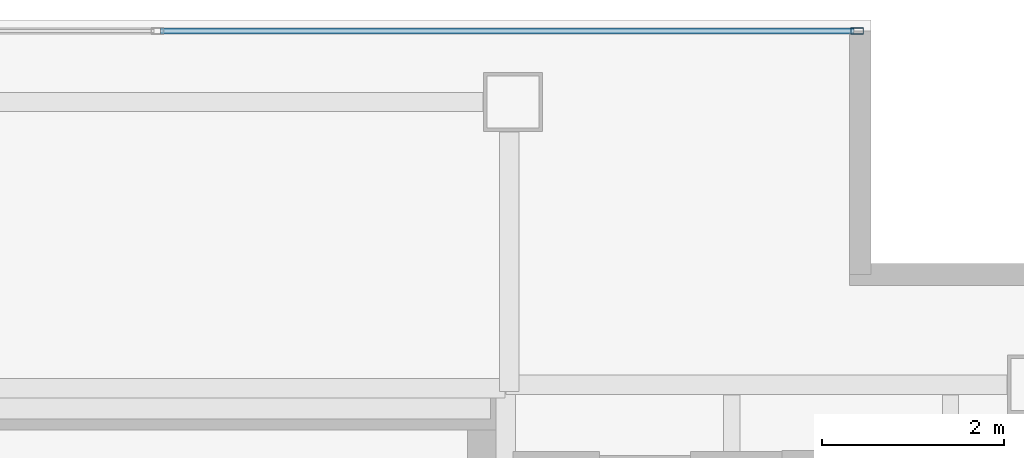
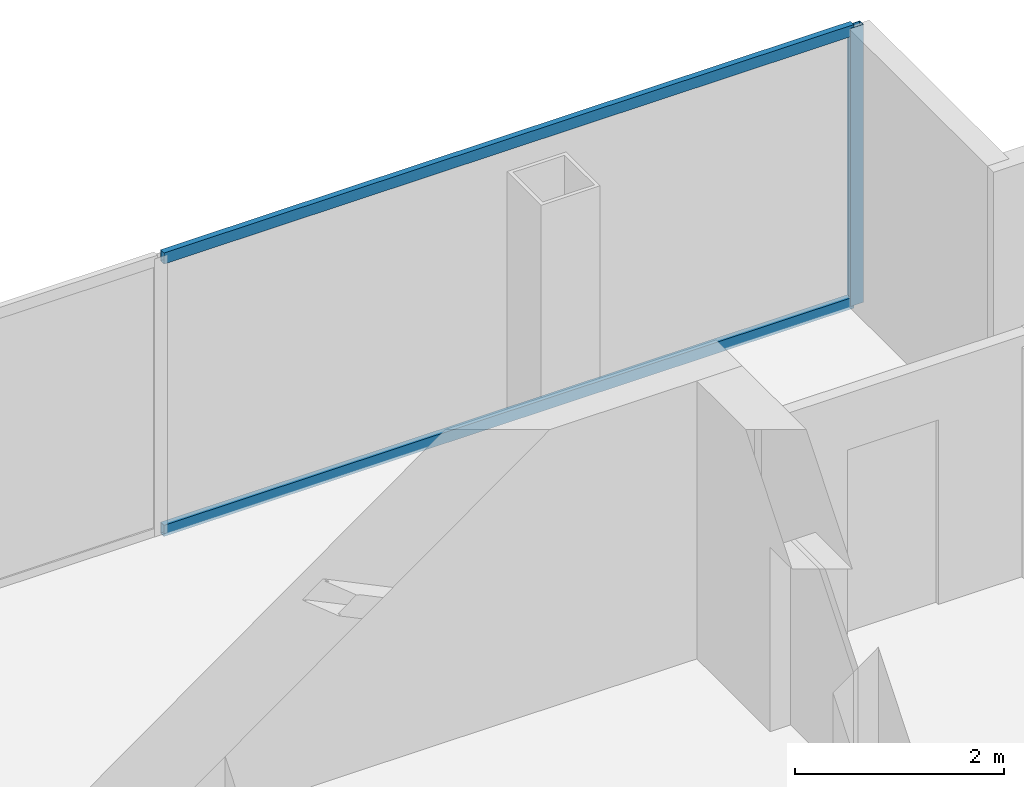
# One storey, part 18 of 23: 3 members, 1 element without a shape of its own.
"""IFC4 building model written with IfcOpenShell, lengths in metres."""

from ifc_helpers import new_model, si_unit, direction, frame, origin, origin_2d, place, context, subcontext, project, spatial, hollow_rectangle, extrude, material, material_profile, profile_set, type_object, element, aggregate, save


model = new_model("IFC4")

# Units and contexts
model_context = context("Model", 3, precision=1e-05, world=origin(), true_north=direction((0.0, 1.0)))
body_context = subcontext(model_context, "Body", "Model", "MODEL_VIEW")
ifc_project = project(units=[si_unit("LENGTHUNIT", "METRE"), si_unit("AREAUNIT", "SQUARE_METRE"), si_unit("VOLUMEUNIT", "CUBIC_METRE"), si_unit("PLANEANGLEUNIT", "RADIAN"), si_unit("MASSUNIT", "GRAM", prefix="KILO")], contexts=[model_context])

# Site, building, storey
site_placement = place(None, origin())
site = spatial("IfcSite", under=ifc_project, at=site_placement, CompositionType="ELEMENT")
building_placement = place(site_placement, origin())
building = spatial("IfcBuilding", under=site, at=building_placement, Name="Cobrela Telecom Tower", CompositionType="ELEMENT")
storey_placement = place(building_placement, frame((0.0, 0.0, 283.14990234375)))
storey = spatial("IfcBuildingStorey", under=building, at=storey_placement, Name="L74", CompositionType="ELEMENT", Elevation=283.14990234375)

# Curtain wall, members
ifc_material = material(Name="Anodized Bronze Aluminium 6063-T6", Category="aluminium")
curtain_wall_type = type_object("IfcCurtainWallType", Name="CW-SYS-OFF-HI", PredefinedType="USERDEFINED", material=ifc_material)
curtain_wall_placement = place(storey_placement, origin())
curtain_wall = element("IfcCurtainWall", 1, at=curtain_wall_placement, inside=storey, type_object=curtain_wall_type, Name="L74 Unitised Bronze Curtain Wall 05", ObjectType="UNITISED CURTAIN WALL", PredefinedType="USERDEFINED")
ifc_material_profile_1 = material_profile(ifc_material, hollow_rectangle(XDim=0.070068359375, YDim=0.139892578125, WallThickness=0.00390625, at=origin_2d()), Name="ALU 70x140x4")
ifc_profile_set_1 = profile_set([ifc_material_profile_1], Name="Anodized Bronze Aluminium 6063-T6")
member_type_1 = type_object("IfcMemberType", Name="CW-SYS-OFF-HI-MUL", PredefinedType="MULLION", material=ifc_profile_set_1)
member_1_placement = place(storey_placement, frame((18.175048828125, 39.8798828125, 0.0), z_axis=(0.0, 0.0, 1.0), x_axis=(0.0, 1.0, 0.0)))
member_1 = element("IfcMember", 2, at=member_1_placement, type_object=member_type_1, Name="CW-OFF-HI mullion 3", PredefinedType="MULLION", context=body_context, shape_type="SweptSolid", body=[
    extrude(hollow_rectangle(XDim=0.070068359375, YDim=0.139892578125, WallThickness=0.00390625, at=origin_2d()), origin(), (0.0, 0.0, 1.0), 3.239990234375),
])
ifc_material_profile_2 = material_profile(ifc_material, hollow_rectangle(XDim=0.06494140625, YDim=0.1298828125, WallThickness=0.00390625, at=origin_2d()), Name="ALU 65x130x4")
ifc_profile_set_2 = profile_set([ifc_material_profile_2], Name="Anodized Bronze Aluminium 6063-T6")
member_type_2 = type_object("IfcMemberType", Name="CW-SYS-OFF-HI-TRN", PredefinedType="USERDEFINED", material=ifc_profile_set_2)
member_2_placement = place(storey_placement, frame((10.534912109375, 39.8798828125, 0.03271484375), z_axis=(1.0, 0.0, 0.0), x_axis=(0.0, 1.0, 0.0)))
member_2 = element("IfcMember", 3, at=member_2_placement, type_object=member_type_2, Name="CW-OFF-HI transom 2.1", ObjectType="TRANSOM", PredefinedType="USERDEFINED", context=body_context, shape_type="SweptSolid", body=[
    extrude(hollow_rectangle(XDim=0.06494140625, YDim=0.1298828125, WallThickness=0.00390625, at=origin_2d()), origin(), (0.0, 0.0, 1.0), 7.60498046875),
])
member_3_placement = place(storey_placement, frame((10.534912109375, 39.8798828125, 3.20751953125), z_axis=(1.0, 0.0, 0.0), x_axis=(0.0, 1.0, 0.0)))
member_3 = element("IfcMember", 4, at=member_3_placement, type_object=member_type_2, Name="CW-OFF-HI transom 2.2", ObjectType="TRANSOM", PredefinedType="USERDEFINED", context=body_context, shape_type="SweptSolid", body=[
    extrude(hollow_rectangle(XDim=0.06494140625, YDim=0.1298828125, WallThickness=0.00390625, at=origin_2d()), origin(), (0.0, 0.0, 1.0), 7.60498046875),
])
aggregate(curtain_wall, [member_1, member_2, member_3])

save(model, "model.ifc")
